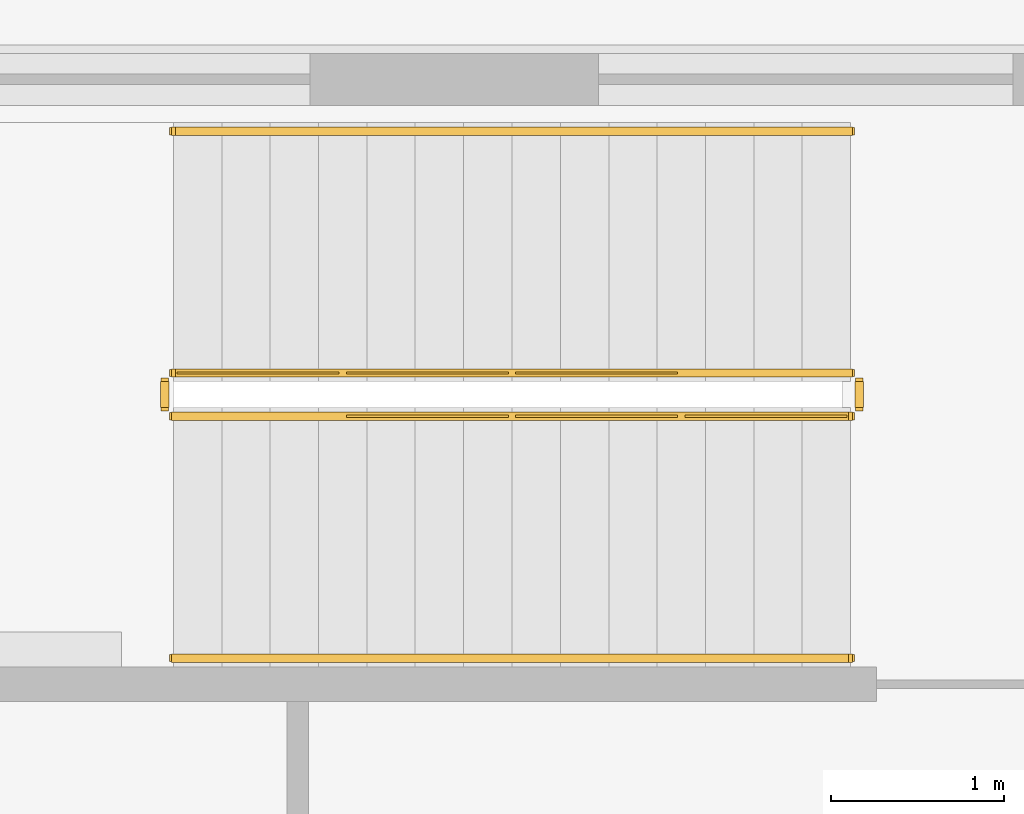
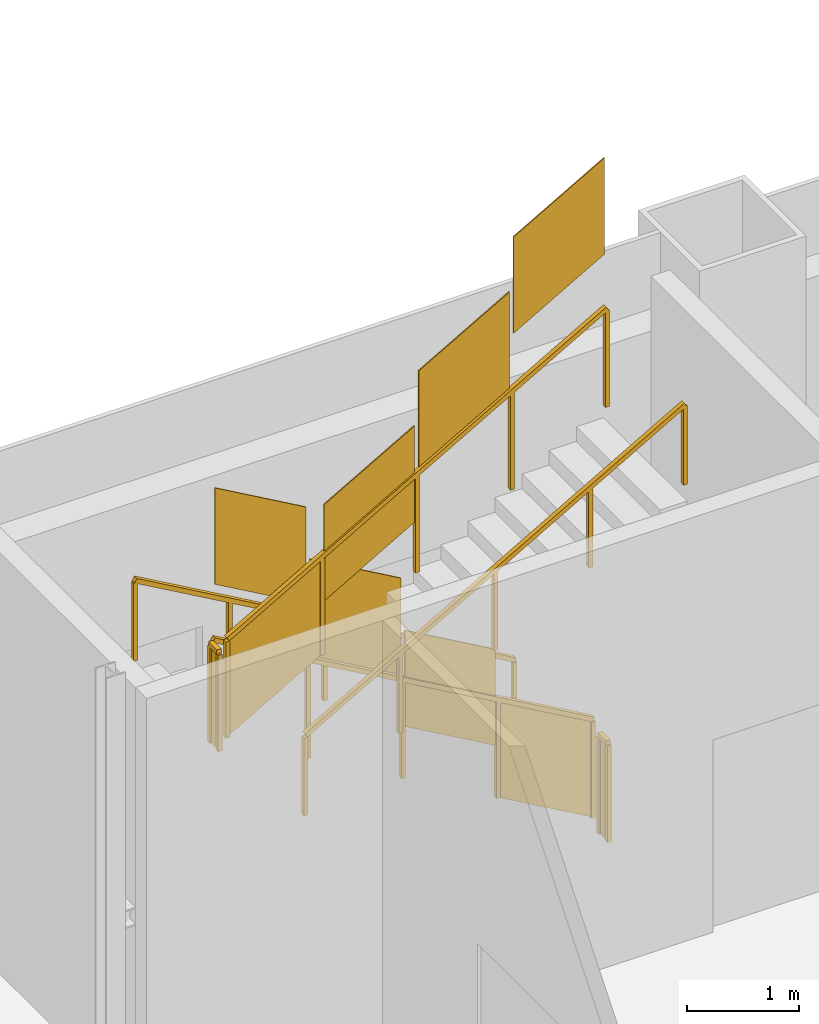
# One storey, part 23 of 26: 6 railings.
"""IFC4 building model written with IfcOpenShell, lengths in metres."""

from ifc_helpers import new_model, si_unit, direction, frame, origin, origin_2d, place, context, subcontext, project, spatial, polyline, rectangle, outline, extrude, material, type_object, element, save


model = new_model("IFC4")

# Units and contexts
model_context = context("Model", 3, precision=1e-05, world=origin(), true_north=direction((0.0, 1.0)))
body_context = subcontext(model_context, "Body", "Model", "MODEL_VIEW")
ifc_project = project(units=[si_unit("LENGTHUNIT", "METRE"), si_unit("AREAUNIT", "SQUARE_METRE"), si_unit("VOLUMEUNIT", "CUBIC_METRE"), si_unit("PLANEANGLEUNIT", "RADIAN"), si_unit("MASSUNIT", "GRAM", prefix="KILO")], contexts=[model_context])

# Site, building, storey
site_placement = place(None, origin())
site = spatial("IfcSite", under=ifc_project, at=site_placement, CompositionType="ELEMENT")
building_placement = place(site_placement, origin())
building = spatial("IfcBuilding", under=site, at=building_placement, Name="Cairn Pilgrim Tower", CompositionType="ELEMENT")
storey_placement = place(building_placement, frame((0.0, 0.0, 25.800048828125)))
storey = spatial("IfcBuildingStorey", under=building, at=storey_placement, Name="L04", CompositionType="ELEMENT", Elevation=25.800048828125)

# Railings
ifc_material = material(Name="Painted steel", Category="steel")
railing_type_1 = type_object("IfcRailingType", Name="PODIUM STAIR GUARD 1100", PredefinedType="GUARDRAIL", material=ifc_material)
railing_1_placement = place(storey_placement, frame((-25.60009765625, 26.5, 0.159912109375)))
element("IfcRailing", 1, at=railing_1_placement, inside=storey, type_object=railing_type_1, Name="L04 ST-HN stair guard 1", PredefinedType="GUARDRAIL", context=body_context, shape_type="SweptSolid", body=[
    extrude(rectangle(XDim=0.048095703125, YDim=0.048095703125, at=origin_2d()), frame((0.0, 0.0, 1.076171875), z_axis=(-0.868239814368, 0.0, 0.496144761885), x_axis=(0.0, -1.0, 0.0)), (0.0, 0.0, 1.0), 4.514892578125),
    extrude(rectangle(XDim=0.0419921875, YDim=0.0419921875, at=origin_2d()), origin(), (0.0, 0.0, 1.0), 1.052001953125),
    extrude(rectangle(XDim=0.0419921875, YDim=0.0419921875, at=origin_2d()), frame((-0.97998046875, 0.0, 0.56005859375)), (0.0, 0.0, 1.0), 1.052001953125),
    extrude(rectangle(XDim=0.0419921875, YDim=0.0419921875, at=origin_2d()), frame((-1.9599609375, 0.0, 1.1201171875)), (0.0, 0.0, 1.0), 1.052001953125),
    extrude(rectangle(XDim=0.0419921875, YDim=0.0419921875, at=origin_2d()), frame((-2.93994140625, 0.0, 1.679931640625)), (0.0, 0.0, 1.0), 1.052001953125),
    extrude(rectangle(XDim=0.0419921875, YDim=0.0419921875, at=origin_2d()), frame((-3.919921875, 0.0, 2.239990234375)), (0.0, 0.0, 1.0), 1.052001953125),
    extrude(outline(polyline([(0.02099609375, 0.011962890625), (0.958984375, 0.548095703125), (0.958984375, 1.60009765625), (0.02099609375, 1.06396484375), (0.02099609375, 0.011962890625)])), frame((0.0, -0.005859375, 0.0), z_axis=(0.0, 1.0, 0.0), x_axis=(-1.0, 0.0, 0.0)), (0.0, 0.0, 1.0), 0.011962890625),
    extrude(outline(polyline([(0.02099609375, 0.572021484375), (0.958984375, 1.10791015625), (0.958984375, 2.159912109375), (0.02099609375, 1.6240234375), (0.02099609375, 0.572021484375)])), frame((-0.97998046875, -0.005859375, 0.56005859375), z_axis=(0.0, 1.0, 0.0), x_axis=(-1.0, 0.0, 0.0)), (0.0, 0.0, 1.0), 0.011962890625),
    extrude(outline(polyline([(0.02099609375, 1.132080078125), (0.958984375, 1.66796875), (0.958984375, 2.719970703125), (0.02099609375, 2.18408203125), (0.02099609375, 1.132080078125)])), frame((-1.9599609375, -0.005859375, 1.1201171875), z_axis=(0.0, 1.0, 0.0), x_axis=(-1.0, 0.0, 0.0)), (0.0, 0.0, 1.0), 0.011962890625),
    extrude(outline(polyline([(0.02099609375, 1.69189453125), (0.958984375, 2.22802734375), (0.958984375, 3.280029296875), (0.02099609375, 2.743896484375), (0.02099609375, 1.69189453125)])), frame((-2.93994140625, -0.005859375, 1.679931640625), z_axis=(0.0, 1.0, 0.0), x_axis=(-1.0, 0.0, 0.0)), (0.0, 0.0, 1.0), 0.011962890625),
])
railing_2_placement = place(storey_placement, frame((-29.570068359375, 26.449951171875, 2.39990234375)))
element("IfcRailing", 2, at=railing_2_placement, inside=storey, type_object=railing_type_1, Name="L04 ST-HN stair guard 2", PredefinedType="GUARDRAIL", context=body_context, shape_type="SweptSolid", body=[
    extrude(rectangle(XDim=0.048095703125, YDim=0.048095703125, at=origin_2d()), frame((0.0, 0.0, 1.076171875), z_axis=(0.0, -1.0, 0.0), x_axis=(1.0, 0.0, 0.0)), (0.0, 0.0, 1.0), 0.14990234375),
    extrude(rectangle(XDim=0.0419921875, YDim=0.0419921875, at=origin_2d()), origin(), (0.0, 0.0, 1.0), 1.052001953125),
    extrude(rectangle(XDim=0.0419921875, YDim=0.0419921875, at=origin_2d()), frame((0.0, -0.14990234375, 0.0)), (0.0, 0.0, 1.0), 1.052001953125),
    extrude(outline(polyline([(0.02099609375, 0.0), (0.12890625, 0.0), (0.12890625, 1.052001953125), (0.02099609375, 1.052001953125), (0.02099609375, 0.0)])), frame((0.005859375, 0.0, 0.0), z_axis=(-1.0, 0.0, 0.0), x_axis=(0.0, -1.0, 0.0)), (0.0, 0.0, 1.0), 0.011962890625),
])
railing_3_placement = place(storey_placement, frame((-29.52001953125, 26.25, 2.56005859375)))
element("IfcRailing", 3, at=railing_3_placement, inside=storey, type_object=railing_type_1, Name="L04 ST-HN stair guard 3", PredefinedType="GUARDRAIL", context=body_context, shape_type="SweptSolid", body=[
    extrude(rectangle(XDim=0.048095703125, YDim=0.048095703125, at=origin_2d()), frame((0.0, 0.0, 1.076171875), z_axis=(0.868239814368, 0.0, 0.496144761885), x_axis=(0.0, 1.0, 0.0)), (0.0, 0.0, 1.0), 4.514892578125),
    extrude(rectangle(XDim=0.0419921875, YDim=0.0419921875, at=origin_2d()), origin(), (0.0, 0.0, 1.0), 1.052001953125),
    extrude(rectangle(XDim=0.0419921875, YDim=0.0419921875, at=origin_2d()), frame((0.97998046875, 0.0, 0.56005859375)), (0.0, 0.0, 1.0), 1.052001953125),
    extrude(rectangle(XDim=0.0419921875, YDim=0.0419921875, at=origin_2d()), frame((1.9599609375, 0.0, 1.1201171875)), (0.0, 0.0, 1.0), 1.052001953125),
    extrude(rectangle(XDim=0.0419921875, YDim=0.0419921875, at=origin_2d()), frame((2.93994140625, 0.0, 1.679931640625)), (0.0, 0.0, 1.0), 1.052001953125),
    extrude(rectangle(XDim=0.0419921875, YDim=0.0419921875, at=origin_2d()), frame((3.919921875, 0.0, 2.239990234375)), (0.0, 0.0, 1.0), 1.052001953125),
    extrude(outline(polyline([(0.02099609375, 0.011962890625), (0.958984375, 0.548095703125), (0.958984375, 1.60009765625), (0.02099609375, 1.06396484375), (0.02099609375, 0.011962890625)])), frame((0.0, 0.005859375, 0.0), z_axis=(0.0, -1.0, 0.0), x_axis=(1.0, 0.0, 0.0)), (0.0, 0.0, 1.0), 0.011962890625),
    extrude(outline(polyline([(0.02099609375, 0.572021484375), (0.958984375, 1.10791015625), (0.958984375, 2.159912109375), (0.02099609375, 1.6240234375), (0.02099609375, 0.572021484375)])), frame((0.97998046875, 0.005859375, 0.56005859375), z_axis=(0.0, -1.0, 0.0), x_axis=(1.0, 0.0, 0.0)), (0.0, 0.0, 1.0), 0.011962890625),
    extrude(outline(polyline([(0.02099609375, 1.132080078125), (0.958984375, 1.66796875), (0.958984375, 2.719970703125), (0.02099609375, 2.18408203125), (0.02099609375, 1.132080078125)])), frame((1.9599609375, 0.005859375, 1.1201171875), z_axis=(0.0, -1.0, 0.0), x_axis=(1.0, 0.0, 0.0)), (0.0, 0.0, 1.0), 0.011962890625),
    extrude(outline(polyline([(0.02099609375, 1.69189453125), (0.958984375, 2.22802734375), (0.958984375, 3.280029296875), (0.02099609375, 2.743896484375), (0.02099609375, 1.69189453125)])), frame((2.93994140625, 0.005859375, 1.679931640625), z_axis=(0.0, -1.0, 0.0), x_axis=(1.0, 0.0, 0.0)), (0.0, 0.0, 1.0), 0.011962890625),
])
railing_4_placement = place(storey_placement, frame((-25.550048828125, 26.449951171875, 0.0)))
element("IfcRailing", 4, at=railing_4_placement, inside=storey, type_object=railing_type_1, Name="L04 ST-HN stair guard 4", PredefinedType="GUARDRAIL", context=body_context, shape_type="SweptSolid", body=[
    extrude(rectangle(XDim=0.048095703125, YDim=0.048095703125, at=origin_2d()), frame((0.0, 0.0, 1.076171875), z_axis=(0.0, -1.0, 0.0), x_axis=(1.0, 0.0, 0.0)), (0.0, 0.0, 1.0), 0.14990234375),
    extrude(rectangle(XDim=0.0419921875, YDim=0.0419921875, at=origin_2d()), origin(), (0.0, 0.0, 1.0), 1.052001953125),
    extrude(rectangle(XDim=0.0419921875, YDim=0.0419921875, at=origin_2d()), frame((0.0, -0.14990234375, 0.0)), (0.0, 0.0, 1.0), 1.052001953125),
    extrude(outline(polyline([(0.02099609375, 0.0), (0.12890625, 0.0), (0.12890625, 1.052001953125), (0.02099609375, 1.052001953125), (0.02099609375, 0.0)])), frame((0.005859375, 0.0, 0.0), z_axis=(-1.0, 0.0, 0.0), x_axis=(0.0, -1.0, 0.0)), (0.0, 0.0, 1.0), 0.011962890625),
])
railing_type_2 = type_object("IfcRailingType", Name="PODIUM STAIR HANDRAIL 900", PredefinedType="HANDRAIL", material=ifc_material)
railing_5_placement = place(storey_placement, frame((-25.60009765625, 27.89990234375, 0.159912109375)))
element("IfcRailing", 5, at=railing_5_placement, inside=storey, type_object=railing_type_2, Name="L04 ST-HN stair handrail 1", PredefinedType="HANDRAIL", context=body_context, shape_type="SweptSolid", body=[
    extrude(rectangle(XDim=0.048095703125, YDim=0.048095703125, at=origin_2d()), frame((0.0, 0.0, 0.8759765625), z_axis=(-0.868239814368, 0.0, 0.496144761885), x_axis=(0.0, -1.0, 0.0)), (0.0, 0.0, 1.0), 4.514892578125),
    extrude(rectangle(XDim=0.0419921875, YDim=0.0419921875, at=origin_2d()), origin(), (0.0, 0.0, 1.0), 0.851806640625),
    extrude(rectangle(XDim=0.0419921875, YDim=0.0419921875, at=origin_2d()), frame((-0.97998046875, 0.0, 0.56005859375)), (0.0, 0.0, 1.0), 0.851806640625),
    extrude(rectangle(XDim=0.0419921875, YDim=0.0419921875, at=origin_2d()), frame((-1.9599609375, 0.0, 1.1201171875)), (0.0, 0.0, 1.0), 0.851806640625),
    extrude(rectangle(XDim=0.0419921875, YDim=0.0419921875, at=origin_2d()), frame((-2.93994140625, 0.0, 1.679931640625)), (0.0, 0.0, 1.0), 0.851806640625),
    extrude(rectangle(XDim=0.0419921875, YDim=0.0419921875, at=origin_2d()), frame((-3.919921875, 0.0, 2.239990234375)), (0.0, 0.0, 1.0), 0.851806640625),
])
railing_6_placement = place(storey_placement, frame((-29.52001953125, 24.85009765625, 2.56005859375)))
element("IfcRailing", 6, at=railing_6_placement, inside=storey, type_object=railing_type_2, Name="L04 ST-HN stair handrail 2", PredefinedType="HANDRAIL", context=body_context, shape_type="SweptSolid", body=[
    extrude(rectangle(XDim=0.048095703125, YDim=0.048095703125, at=origin_2d()), frame((0.0, 0.0, 0.8759765625), z_axis=(0.868239814368, 0.0, 0.496144761885), x_axis=(0.0, 1.0, 0.0)), (0.0, 0.0, 1.0), 4.514892578125),
    extrude(rectangle(XDim=0.0419921875, YDim=0.0419921875, at=origin_2d()), origin(), (0.0, 0.0, 1.0), 0.851806640625),
    extrude(rectangle(XDim=0.0419921875, YDim=0.0419921875, at=origin_2d()), frame((0.97998046875, 0.0, 0.56005859375)), (0.0, 0.0, 1.0), 0.851806640625),
    extrude(rectangle(XDim=0.0419921875, YDim=0.0419921875, at=origin_2d()), frame((1.9599609375, 0.0, 1.1201171875)), (0.0, 0.0, 1.0), 0.851806640625),
    extrude(rectangle(XDim=0.0419921875, YDim=0.0419921875, at=origin_2d()), frame((2.93994140625, 0.0, 1.679931640625)), (0.0, 0.0, 1.0), 0.851806640625),
    extrude(rectangle(XDim=0.0419921875, YDim=0.0419921875, at=origin_2d()), frame((3.919921875, 0.0, 2.239990234375)), (0.0, 0.0, 1.0), 0.851806640625),
])

save(model, "model.ifc")
